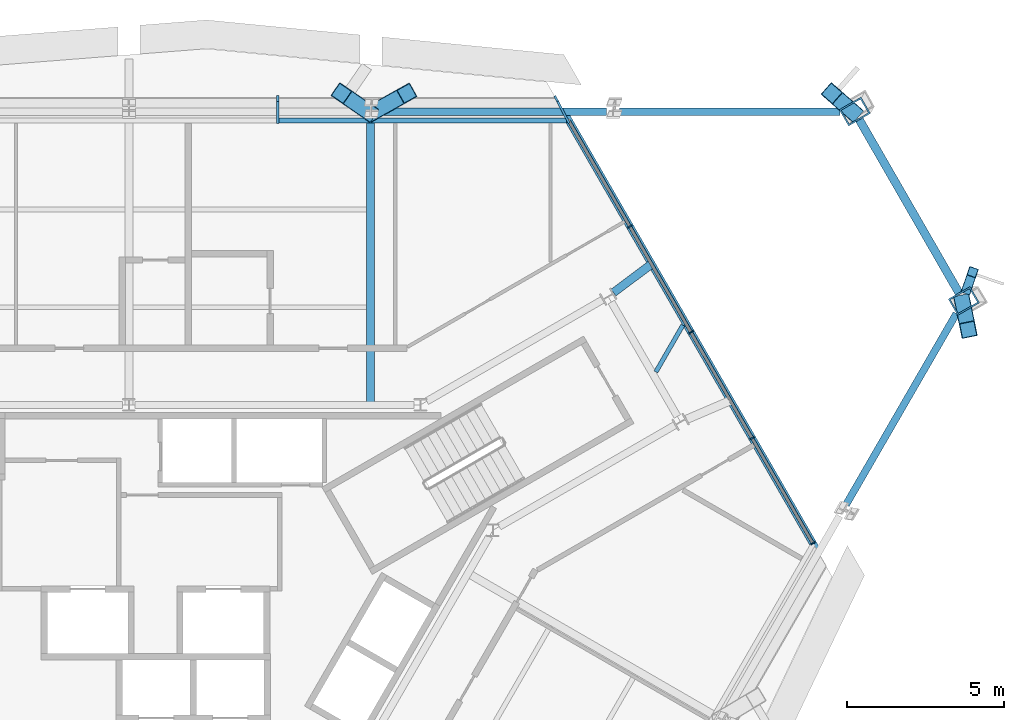
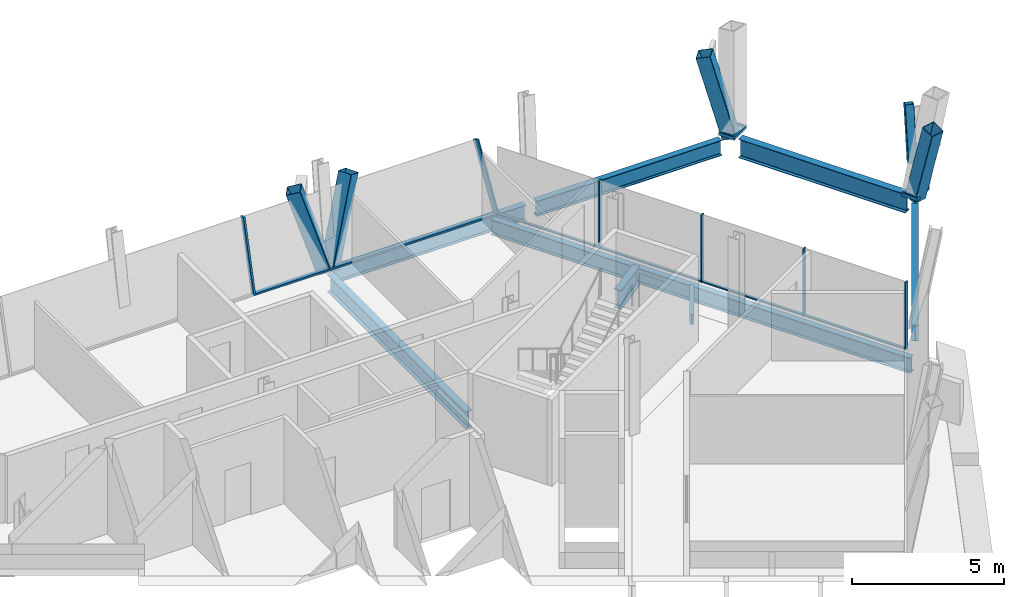
# One storey, part 5 of 12: 18 members, 8 beams, 2 elements without a shape of their own.
"""IFC4 building model written with IfcOpenShell, lengths in metres."""

from ifc_helpers import new_model, si_unit, direction, frame, origin, origin_2d, place, context, subcontext, project, spatial, rectangle, hollow_rectangle, i_section, extrude, material, material_profile, profile_set, type_object, element, aggregate, save


model = new_model("IFC4")

# Units and contexts
model_context = context("Model", 3, precision=1e-05, world=origin(), true_north=direction((0.0, 1.0)))
body_context = subcontext(model_context, "Body", "Model", "MODEL_VIEW")
ifc_project = project(units=[si_unit("LENGTHUNIT", "METRE"), si_unit("AREAUNIT", "SQUARE_METRE"), si_unit("VOLUMEUNIT", "CUBIC_METRE"), si_unit("PLANEANGLEUNIT", "RADIAN"), si_unit("MASSUNIT", "GRAM", prefix="KILO")], contexts=[model_context])

# Site, building, storey
site_placement = place(None, origin())
site = spatial("IfcSite", under=ifc_project, at=site_placement, CompositionType="ELEMENT")
building_placement = place(site_placement, origin())
building = spatial("IfcBuilding", under=site, at=building_placement, Name="Verrane Prism Tower", CompositionType="ELEMENT")
storey_placement = place(building_placement, frame((0.0, 0.0, 174.699951171875)))
storey = spatial("IfcBuildingStorey", under=building, at=storey_placement, Name="L43", CompositionType="ELEMENT", Elevation=174.699951171875)

# Member
ifc_material_1 = material(Name="Steel A500 Grade C", Category="steel")
ifc_material_profile_1 = material_profile(ifc_material_1, hollow_rectangle(XDim=0.3046875, YDim=0.3046875, WallThickness=0.0126953125, InnerFilletRadius=0.00634765625, OuterFilletRadius=0.01904296875, at=origin_2d()), Name="HSS12x12x1/2")
ifc_profile_set_1 = profile_set([ifc_material_profile_1], Name="Steel A500 Grade C")
member_type_1 = type_object("IfcMemberType", Name="Chamfer brace HSS12x12x1/2", PredefinedType="BRACE", material=ifc_profile_set_1)
member_1_placement = place(storey_placement, frame((26.610107421875, 11.677001953125, 0.903564453125), z_axis=(0.090665988498, 0.264711239147, 0.960056060029), x_axis=(-0.946046937984, 0.324029614589, 0.0)))
element("IfcMember", 1, at=member_1_placement, inside=storey, type_object=member_type_1, Name="Chamfer brace NE0 L43", PredefinedType="BRACE", context=body_context, shape_type="SweptSolid", body=[
    extrude(hollow_rectangle(XDim=0.3046875, YDim=0.3046875, WallThickness=0.0126953125, InnerFilletRadius=0.00634765625, OuterFilletRadius=0.01904296875, at=origin_2d()), origin(), (0.0, 0.0, 1.0), 2.043701171875),
])

# Beams
ifc_material_2 = material(Name="Steel A992", Category="steel")
ifc_material_profile_2 = material_profile(ifc_material_2, i_section(OverallWidth=0.2666015625, OverallDepth=0.7568359375, WebThickness=0.013916015625, FlangeThickness=0.019287109375, FilletRadius=0.0166015625, at=origin_2d()), Name="W30x108")
ifc_profile_set_2 = profile_set([ifc_material_profile_2], Name="Steel A992")
beam_type_1 = type_object("IfcBeamType", Name="Chamfer spandrel beam W30x108", PredefinedType="SPANDREL", material=ifc_profile_set_2)
beam_1_placement = place(storey_placement, frame((26.3603515625, 11.56005859375, -0.538330078125), z_axis=(-0.498933745764, 0.866640131391, 0.0), x_axis=(-0.866640131391, -0.498933745764, 0.0)))
element("IfcBeam", 2, at=beam_1_placement, inside=storey, type_object=beam_type_1, Name="Chamfer spandrel beam L43", PredefinedType="SPANDREL", context=body_context, shape_type="SweptSolid", body=[
    extrude(i_section(OverallWidth=0.2666015625, OverallDepth=0.7568359375, WebThickness=0.013916015625, FlangeThickness=0.019287109375, FilletRadius=0.0166015625, at=origin_2d()), origin(), (0.0, 0.0, 1.0), 6.334716796875),
])
ifc_material_3 = material(Name="Steel A992", Category="steel")
ifc_material_profile_3 = material_profile(ifc_material_3, i_section(OverallWidth=0.2666015625, OverallDepth=0.76708984375, WebThickness=0.014892578125, FlangeThickness=0.023681640625, FilletRadius=0.0166015625, at=origin_2d()), Name="W30x124")
ifc_profile_set_3 = profile_set([ifc_material_profile_3], Name="Steel A992")
beam_type_2 = type_object("IfcBeamType", Name="Corner girder W30x124", PredefinedType="BEAM", material=ifc_profile_set_3)
beam_2_placement = place(storey_placement, frame((16.601318359375, 12.4755859375, -0.603515625), z_axis=(-0.800115897234, -0.599845439254, 0.0), x_axis=(0.599845439254, -0.800115897234, 0.0)))
element("IfcBeam", 3, at=beam_2_placement, inside=storey, type_object=beam_type_2, Name="Corner girder L43", PredefinedType="BEAM", context=body_context, shape_type="SweptSolid", body=[
    extrude(i_section(OverallWidth=0.2666015625, OverallDepth=0.76708984375, WebThickness=0.014892578125, FlangeThickness=0.023681640625, FilletRadius=0.0166015625, at=origin_2d()), origin(), (0.0, 0.0, 1.0), 1.5166015625),
])

# Members
ifc_material_4 = material(Name="Steel A500 Grade C", Category="steel")
ifc_material_profile_4 = material_profile(ifc_material_4, hollow_rectangle(XDim=0.508056640625, YDim=0.508056640625, WallThickness=0.01904296875, InnerFilletRadius=0.009521484375, OuterFilletRadius=0.028564453125, at=origin_2d()), Name="HSS20x20x3/4")
ifc_profile_set_4 = profile_set([ifc_material_profile_4], Name="Steel A500 Grade C")
member_type_2 = type_object("IfcMemberType", Name="Facade brace HSS20x20x3/4", PredefinedType="BRACE", material=ifc_profile_set_4)
member_2_placement = place(storey_placement, frame((22.9873046875, 17.31005859375, -0.171630859375), z_axis=(-0.20289453749, 0.178577030423, 0.962779336537), x_axis=(-0.660690105763, -0.750658766782, 0.0)))
element("IfcMember", 4, at=member_2_placement, inside=storey, type_object=member_type_2, Name="Facade brace N0 L43", PredefinedType="BRACE", context=body_context, shape_type="SweptSolid", body=[
    extrude(hollow_rectangle(XDim=0.508056640625, YDim=0.508056640625, WallThickness=0.01904296875, InnerFilletRadius=0.009521484375, OuterFilletRadius=0.028564453125, at=origin_2d()), origin(), (0.0, 0.0, 1.0), 3.27294921875),
])
member_3_placement = place(storey_placement, frame((7.77880859375, 17.31005859375, -0.171630859375), z_axis=(0.310636410347, 0.173348150669, 0.934588379569), x_axis=(-0.48730118946, 0.873233961062, 0.0)))
element("IfcMember", 5, at=member_3_placement, inside=storey, type_object=member_type_2, Name="Facade brace N1 L43", PredefinedType="BRACE", context=body_context, shape_type="SweptSolid", body=[
    extrude(hollow_rectangle(XDim=0.508056640625, YDim=0.508056640625, WallThickness=0.01904296875, InnerFilletRadius=0.009521484375, OuterFilletRadius=0.028564453125, at=origin_2d()), origin(), (0.0, 0.0, 1.0), 3.37158203125),
])
member_4_placement = place(storey_placement, frame((7.60009765625, 17.31005859375, -0.171630859375), z_axis=(-0.256110562075, 0.176287718691, 0.950436752358), x_axis=(-0.56699110255, -0.823723915902, 0.0)))
element("IfcMember", 6, at=member_4_placement, inside=storey, type_object=member_type_2, Name="Facade brace N2 L43", PredefinedType="BRACE", context=body_context, shape_type="SweptSolid", body=[
    extrude(hollow_rectangle(XDim=0.508056640625, YDim=0.508056640625, WallThickness=0.01904296875, InnerFilletRadius=0.009521484375, OuterFilletRadius=0.028564453125, at=origin_2d()), origin(), (0.0, 0.0, 1.0), 3.3154296875),
])
member_5_placement = place(storey_placement, frame((26.479248046875, 11.24658203125, -0.171630859375), z_axis=(0.053973187022, -0.26210215717, 0.963529633322), x_axis=(0.979448939725, 0.201692276679, 0.0)))
element("IfcMember", 7, at=member_5_placement, inside=storey, type_object=member_type_2, Name="Facade brace SE5 L43", PredefinedType="BRACE", context=body_context, shape_type="SweptSolid", body=[
    extrude(hollow_rectangle(XDim=0.508056640625, YDim=0.508056640625, WallThickness=0.01904296875, InnerFilletRadius=0.009521484375, OuterFilletRadius=0.028564453125, at=origin_2d()), origin(), (0.0, 0.0, 1.0), 3.2705078125),
])

# Beam
ifc_material_5 = material(Name="Steel A992", Category="steel")
ifc_material_profile_5 = material_profile(ifc_material_5, i_section(OverallWidth=0.140380859375, OverallDepth=0.40380859375, WebThickness=0.007080078125, FlangeThickness=0.01123046875, FilletRadius=0.01025390625, at=origin_2d()), Name="W16x31")
ifc_profile_set_5 = profile_set([ifc_material_profile_5], Name="Steel A992")
beam_type_3 = type_object("IfcBeamType", Name="Floor beam W16x31", PredefinedType="BEAM", material=ifc_profile_set_5)
beam_3_placement = place(storey_placement, frame((16.73583984375, 9.046630859375, -0.36181640625), z_axis=(0.49998117181, 0.866036273972, 0.0), x_axis=(-0.866036273972, 0.49998117181, 0.0)))
element("IfcBeam", 8, at=beam_3_placement, inside=storey, type_object=beam_type_3, Name="Floor beam L43", PredefinedType="BEAM", context=body_context, shape_type="SweptSolid", body=[
    extrude(i_section(OverallWidth=0.140380859375, OverallDepth=0.40380859375, WebThickness=0.007080078125, FlangeThickness=0.01123046875, FilletRadius=0.01025390625, at=origin_2d()), origin(), (0.0, 0.0, 1.0), 1.71533203125),
])

# Members
ifc_material_6 = material(Name="Steel A572 Grade 50", Category="steel")
ifc_material_profile_6 = material_profile(ifc_material_6, hollow_rectangle(XDim=0.60009765625, YDim=0.800048828125, WallThickness=0.050048828125, at=origin_2d()), Name="BOX 800x600x50")
ifc_profile_set_6 = profile_set([ifc_material_profile_6], Name="Steel A572 Grade 50")
member_type_3 = type_object("IfcMemberType", Name="Kink node BOX 800x600x50", PredefinedType="COLLAR", material=ifc_profile_set_6)
for number, where, z_axis, x_axis, name in (
    (9, (26.51708984375, 11.300048828125, -0.06494140625), (0.0, 0.0, 1.0), (0.5, -0.866025403784, 0.0), "Kink node MC4 L43"),
    (10, (23.053466796875, 17.316162109375, -0.06494140625), (0.0, 0.0, 1.0), (0.5, -0.866025403784, 0.0), "Kink node MC4 L43"),
):
    element("IfcMember", number, at=place(storey_placement, frame(where, z_axis=z_axis, x_axis=x_axis)), inside=storey, type_object=member_type_3, Name=name, PredefinedType="COLLAR", context=body_context, shape_type="SweptSolid", body=[
        extrude(hollow_rectangle(XDim=0.60009765625, YDim=0.800048828125, WallThickness=0.050048828125, at=origin_2d()), origin(), (0.0, 0.0, 1.0), 0.1298828125),
    ])

# Curtain wall, members
ifc_material_7 = material(Name="Aluminium framed insulated glazing", Category="aluminium")
curtain_wall_type_1 = type_object("IfcCurtainWallType", Name="Curtain wall CW-C 4200 module", PredefinedType="NOTDEFINED", material=ifc_material_7)
curtain_wall_1_placement = place(storey_placement, origin())
curtain_wall_1 = element("IfcCurtainWall", 11, at=curtain_wall_1_placement, inside=storey, type_object=curtain_wall_type_1, Name="Glazed curtain wall garden cut line L43 1", PredefinedType="NOTDEFINED")
ifc_material_8 = material(Name="Aluminium alloy 6063-T6", Category="aluminium")
ifc_material_profile_7 = material_profile(ifc_material_8, rectangle(XDim=0.139892578125, YDim=0.050048828125, at=origin_2d()), Name="Mullion 50x140 aluminium")
ifc_profile_set_7 = profile_set([ifc_material_profile_7], Name="Aluminium alloy 6063-T6")
member_type_4 = type_object("IfcMemberType", Name="Mullion 50x140 aluminium", PredefinedType="MULLION", material=ifc_profile_set_7)
member_6_placement = place(storey_placement, frame((21.722412109375, 3.605712890625, 0.0), z_axis=(0.0, 0.0, 1.0), x_axis=(-0.866026214463, -0.499998595862, 0.0)))
member_6 = element("IfcMember", 12, at=member_6_placement, type_object=member_type_4, Name="CW42.1.1 mullion 1", PredefinedType="MULLION", context=body_context, shape_type="SweptSolid", body=[
    extrude(rectangle(XDim=0.139892578125, YDim=0.050048828125, at=origin_2d()), origin(), (0.0, 0.0, 1.0), 2.712890625),
])
member_7_placement = place(storey_placement, frame((19.7939453125, 6.94580078125, 0.0), z_axis=(0.0, 0.0, 1.0), x_axis=(-0.866026214463, -0.499998595862, 0.0)))
member_7 = element("IfcMember", 13, at=member_7_placement, type_object=member_type_4, Name="CW42.1.1 mullion 2", PredefinedType="MULLION", context=body_context, shape_type="SweptSolid", body=[
    extrude(rectangle(XDim=0.139892578125, YDim=0.050048828125, at=origin_2d()), origin(), (0.0, 0.0, 1.0), 2.712890625),
])
member_8_placement = place(storey_placement, frame((17.85302734375, 10.3076171875, 0.0), z_axis=(0.0, 0.0, 1.0), x_axis=(-0.866026214463, -0.499998595862, 0.0)))
member_8 = element("IfcMember", 14, at=member_8_placement, type_object=member_type_4, Name="CW42.1.1 mullion 3", PredefinedType="MULLION", context=body_context, shape_type="SweptSolid", body=[
    extrude(rectangle(XDim=0.139892578125, YDim=0.050048828125, at=origin_2d()), origin(), (0.0, 0.0, 1.0), 2.712890625),
])
member_9_placement = place(storey_placement, frame((15.912109375, 13.669189453125, 0.0), z_axis=(0.0, 0.0, 1.0), x_axis=(-0.866026214463, -0.499998595862, 0.0)))
member_9 = element("IfcMember", 15, at=member_9_placement, type_object=member_type_4, Name="CW42.1.1 mullion 4", PredefinedType="MULLION", context=body_context, shape_type="SweptSolid", body=[
    extrude(rectangle(XDim=0.139892578125, YDim=0.050048828125, at=origin_2d()), origin(), (0.0, 0.0, 1.0), 2.712890625),
])

ifc_material_9 = material(Name="Aluminium framed insulated glazing", Category="aluminium")
curtain_wall_type_2 = type_object("IfcCurtainWallType", Name="Curtain wall CW-A 8400 module", PredefinedType="NOTDEFINED", material=ifc_material_9)
curtain_wall_2_placement = place(storey_placement, origin())
curtain_wall_2 = element("IfcCurtainWall", 16, at=curtain_wall_2_placement, inside=storey, type_object=curtain_wall_type_2, Name="Glazed curtain wall north face L43", PredefinedType="NOTDEFINED")
ifc_material_10 = material(Name="Aluminium alloy 6063-T6", Category="aluminium")
ifc_material_profile_8 = material_profile(ifc_material_10, rectangle(XDim=0.199951171875, YDim=0.070068359375, at=origin_2d()), Name="Mullion 70x200 aluminium")
ifc_profile_set_8 = profile_set([ifc_material_profile_8], Name="Aluminium alloy 6063-T6")
member_type_5 = type_object("IfcMemberType", Name="Mullion 70x200 aluminium", PredefinedType="MULLION", material=ifc_profile_set_8)
member_10_placement = place(storey_placement, frame((13.936279296875, 17.031005859375, 0.0), z_axis=(-0.130625495832, 0.247687365442, 0.959993723333), x_axis=(-0.447821497816, 0.849143012062, -0.280021519103)))
member_10 = element("IfcMember", 17, at=member_10_placement, type_object=member_type_5, Name="CW42.2 mullion 1", PredefinedType="MULLION", context=body_context, shape_type="SweptSolid", body=[
    extrude(rectangle(XDim=0.199951171875, YDim=0.070068359375, at=origin_2d()), origin(), (0.0, 0.0, 1.0), 2.825927734375),
])
member_11_placement = place(storey_placement, frame((4.7275390625, 17.031005859375, 0.0), z_axis=(0.0, 0.249827945556, 0.968290244513), x_axis=(0.0, 0.968290244513, -0.249827945556)))
member_11 = element("IfcMember", 18, at=member_11_placement, type_object=member_type_5, Name="CW42.2 mullion 2", PredefinedType="MULLION", context=body_context, shape_type="SweptSolid", body=[
    extrude(rectangle(XDim=0.199951171875, YDim=0.070068359375, at=origin_2d()), origin(), (0.0, 0.0, 1.0), 2.8017578125),
])

# Beams
ifc_material_11 = material(Name="Steel A992", Category="steel")
ifc_material_profile_9 = material_profile(ifc_material_11, i_section(OverallWidth=0.25390625, OverallDepth=0.683349609375, WebThickness=0.012451171875, FlangeThickness=0.01904296875, FilletRadius=0.01513671875, at=origin_2d()), Name="W27x94")
ifc_profile_set_9 = profile_set([ifc_material_profile_9], Name="Steel A992")
beam_type_4 = type_object("IfcBeamType", Name="Radial girder W27x94", PredefinedType="BEAM", material=ifc_profile_set_9)
beam_4_placement = place(storey_placement, frame((7.679931640625, 17.0927734375, -0.5615234375), z_axis=(0.0, -1.0, 0.0), x_axis=(1.0, 0.0, 0.0)))
element("IfcBeam", 19, at=beam_4_placement, inside=storey, type_object=beam_type_4, Name="Radial girder L43", PredefinedType="BEAM", context=body_context, shape_type="SweptSolid", body=[
    extrude(i_section(OverallWidth=0.25390625, OverallDepth=0.683349609375, WebThickness=0.012451171875, FlangeThickness=0.01904296875, FilletRadius=0.01513671875, at=origin_2d()), origin(), (0.0, 0.0, 1.0), 9.0927734375),
])
ifc_material_12 = material(Name="Steel A992", Category="steel")
ifc_material_profile_10 = material_profile(ifc_material_12, i_section(OverallWidth=0.23046875, OverallDepth=0.6171875, WebThickness=0.01318359375, FlangeThickness=0.022216796875, FilletRadius=0.012939453125, at=origin_2d()), Name="W24x94")
ifc_profile_set_10 = profile_set([ifc_material_profile_10], Name="Steel A992")
beam_type_5 = type_object("IfcBeamType", Name="Slab edge girder W24x94", PredefinedType="BEAM", material=ifc_profile_set_10)
beam_5_placement = place(storey_placement, frame((13.876708984375, 17.195068359375, -0.528564453125), z_axis=(0.499990396487, -0.866030948304, 0.0), x_axis=(0.866030948304, 0.499990396487, 0.0)))
element("IfcBeam", 20, at=beam_5_placement, inside=storey, type_object=beam_type_5, Name="Slab edge girder L43", PredefinedType="BEAM", context=body_context, shape_type="SweptSolid", body=[
    extrude(i_section(OverallWidth=0.23046875, OverallDepth=0.6171875, WebThickness=0.01318359375, FlangeThickness=0.022216796875, FilletRadius=0.012939453125, at=origin_2d()), origin(), (0.0, 0.0, 1.0), 15.906005859375),
])
ifc_material_13 = material(Name="Steel A992", Category="steel")
ifc_material_profile_11 = material_profile(ifc_material_13, i_section(OverallWidth=0.23046875, OverallDepth=0.6171875, WebThickness=0.01318359375, FlangeThickness=0.022216796875, FilletRadius=0.012939453125, at=origin_2d()), Name="W24x94")
ifc_profile_set_11 = profile_set([ifc_material_profile_11], Name="Steel A992")
beam_type_6 = type_object("IfcBeamType", Name="Spandrel beam W24x94", PredefinedType="SPANDREL", material=ifc_profile_set_11)
beam_6_placement = place(storey_placement, frame((22.588134765625, 17.31005859375, -0.468505859375), z_axis=(-1.0, 0.0, 0.0), x_axis=(0.0, -1.0, 0.0)))
element("IfcBeam", 21, at=beam_6_placement, inside=storey, type_object=beam_type_6, Name="Spandrel beam L43", PredefinedType="SPANDREL", context=body_context, shape_type="SweptSolid", body=[
    extrude(i_section(OverallWidth=0.23046875, OverallDepth=0.6171875, WebThickness=0.01318359375, FlangeThickness=0.022216796875, FilletRadius=0.012939453125, at=origin_2d()), origin(), (0.0, 0.0, 1.0), 7.012451171875),
])
beam_7_placement = place(storey_placement, frame((15.164306640625, 17.31005859375, -0.468505859375), z_axis=(-1.0, 0.0, 0.0), x_axis=(0.0, -1.0, 0.0)))
element("IfcBeam", 22, at=beam_7_placement, inside=storey, type_object=beam_type_6, Name="Spandrel beam L43", PredefinedType="SPANDREL", context=body_context, shape_type="SweptSolid", body=[
    extrude(i_section(OverallWidth=0.23046875, OverallDepth=0.6171875, WebThickness=0.01318359375, FlangeThickness=0.022216796875, FilletRadius=0.012939453125, at=origin_2d()), origin(), (0.0, 0.0, 1.0), 7.278564453125),
])
beam_8_placement = place(storey_placement, frame((22.77294921875, 4.828125, -0.468505859375), z_axis=(0.5000600333, 0.865990740768, 0.0), x_axis=(-0.865990740768, 0.5000600333, 0.0)))
element("IfcBeam", 23, at=beam_8_placement, inside=storey, type_object=beam_type_6, Name="Spandrel beam L43", PredefinedType="SPANDREL", context=body_context, shape_type="SweptSolid", body=[
    extrude(i_section(OverallWidth=0.23046875, OverallDepth=0.6171875, WebThickness=0.01318359375, FlangeThickness=0.022216796875, FilletRadius=0.012939453125, at=origin_2d()), origin(), (0.0, 0.0, 1.0), 7.011474609375),
])

# Member
ifc_material_14 = material(Name="Aluminium alloy 6063-T6", Category="aluminium")
ifc_material_profile_12 = material_profile(ifc_material_14, rectangle(XDim=0.10009765625, YDim=0.050048828125, at=origin_2d()), Name="Transom 50x100 aluminium")
ifc_profile_set_12 = profile_set([ifc_material_profile_12], Name="Aluminium alloy 6063-T6")
member_type_6 = type_object("IfcMemberType", Name="Transom 50x100 aluminium", PredefinedType="USERDEFINED", material=ifc_profile_set_12)
member_12_placement = place(storey_placement, frame((21.7099609375, 3.627197265625, 0.025146484375), z_axis=(-0.500022219218, 0.866012575133, 0.0), x_axis=(-0.866012575133, -0.500022219218, 0.0)))
member_12 = element("IfcMember", 24, at=member_12_placement, type_object=member_type_6, Name="CW42.1.1 transom 1", ObjectType="TRANSOM", PredefinedType="USERDEFINED", context=body_context, shape_type="SweptSolid", body=[
    extrude(rectangle(XDim=0.10009765625, YDim=0.050048828125, at=origin_2d()), origin(), (0.0, 0.0, 1.0), 3.806884765625),
])

member_13_placement = place(storey_placement, frame((19.781494140625, 6.96728515625, 0.025146484375), z_axis=(-0.500003717096, 0.866023257707, 0.0), x_axis=(-0.866023257707, -0.500003717096, 0.0)))
member_13 = element("IfcMember", 25, at=member_13_placement, type_object=member_type_6, Name="CW42.1.1 transom 2", ObjectType="TRANSOM", PredefinedType="USERDEFINED", context=body_context, shape_type="SweptSolid", body=[
    extrude(rectangle(XDim=0.10009765625, YDim=0.050048828125, at=origin_2d()), origin(), (0.0, 0.0, 1.0), 3.83203125),
])

member_14_placement = place(storey_placement, frame((17.840576171875, 10.3291015625, 0.025146484375), z_axis=(-0.49995593182, 0.866050845065, 0.0), x_axis=(-0.866050845065, -0.49995593182, 0.0)))
member_14 = element("IfcMember", 26, at=member_14_placement, type_object=member_type_6, Name="CW42.1.1 transom 3", ObjectType="TRANSOM", PredefinedType="USERDEFINED", context=body_context, shape_type="SweptSolid", body=[
    extrude(rectangle(XDim=0.10009765625, YDim=0.050048828125, at=origin_2d()), origin(), (0.0, 0.0, 1.0), 3.831787109375),
])

member_15_placement = place(storey_placement, frame((15.899658203125, 13.69091796875, 0.025146484375), z_axis=(-0.500012864272, 0.866017976466, 0.0), x_axis=(-0.866017976466, -0.500012864272, 0.0)))
member_15 = element("IfcMember", 27, at=member_15_placement, type_object=member_type_6, Name="CW42.1.1 transom 4", ObjectType="TRANSOM", PredefinedType="USERDEFINED", context=body_context, shape_type="SweptSolid", body=[
    extrude(rectangle(XDim=0.10009765625, YDim=0.050048828125, at=origin_2d()), origin(), (0.0, 0.0, 1.0), 3.85693359375),
])

aggregate(curtain_wall_1, [member_6, member_7, member_8, member_9, member_12, member_13, member_14, member_15])

ifc_material_15 = material(Name="Aluminium alloy 6063-T6", Category="aluminium")
ifc_material_profile_13 = material_profile(ifc_material_15, rectangle(XDim=0.14990234375, YDim=0.070068359375, at=origin_2d()), Name="Transom 70x150 aluminium")
ifc_profile_set_13 = profile_set([ifc_material_profile_13], Name="Aluminium alloy 6063-T6")
member_type_7 = type_object("IfcMemberType", Name="Transom 70x150 aluminium", PredefinedType="USERDEFINED", material=ifc_profile_set_13)
member_16_placement = place(storey_placement, frame((13.9013671875, 17.031005859375, 0.03515625), z_axis=(-1.0, 0.0, 0.0), x_axis=(0.0, -1.0, 0.0)))
member_16 = element("IfcMember", 28, at=member_16_placement, type_object=member_type_7, Name="CW42.2 transom 1", ObjectType="TRANSOM", PredefinedType="USERDEFINED", context=body_context, shape_type="SweptSolid", body=[
    extrude(rectangle(XDim=0.14990234375, YDim=0.070068359375, at=origin_2d()), origin(), (0.0, 0.0, 1.0), 9.138916015625),
])

aggregate(curtain_wall_2, [member_10, member_11, member_16])

save(model, "model.ifc")
